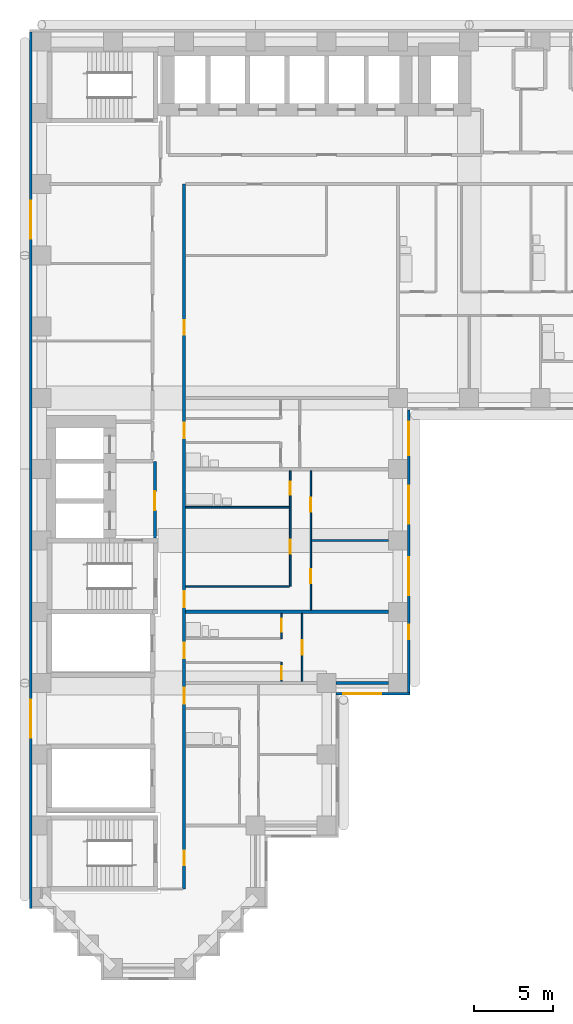
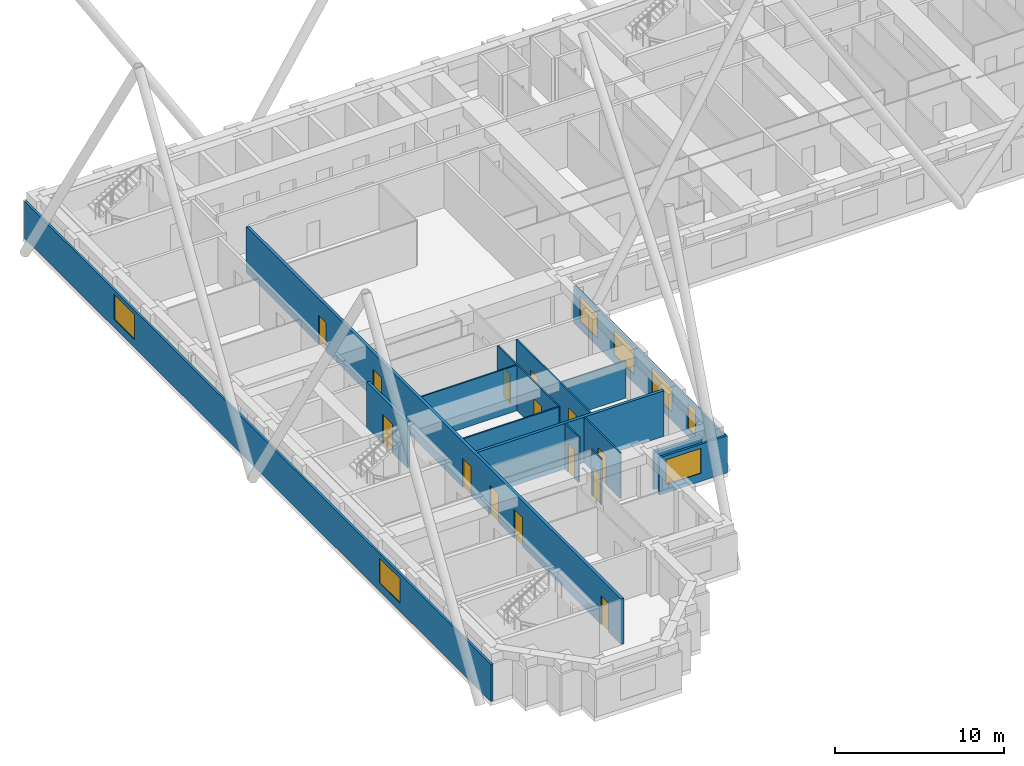
# One storey, part 4 of 13: 15 walls, 14 doors, 7 windows, 21 openings.
"""IFC4 building model written with IfcOpenShell, lengths in metres."""

from ifc_helpers import new_model, si_unit, direction, frame, frame_2d, origin, place, context, subcontext, project, spatial, rectangle, extrude, material, layer, layer_set, type_object, element, fill, save


model = new_model("IFC4")

# Units and contexts
model_context = context("Model", 3, precision=1e-05, world=origin(), true_north=direction((0.0, 1.0)))
body_context = subcontext(model_context, "Body", "Model", "MODEL_VIEW")
ifc_project = project(units=[si_unit("LENGTHUNIT", "METRE"), si_unit("AREAUNIT", "SQUARE_METRE"), si_unit("VOLUMEUNIT", "CUBIC_METRE"), si_unit("PLANEANGLEUNIT", "RADIAN"), si_unit("MASSUNIT", "GRAM", prefix="KILO")], contexts=[model_context])

# Site, building, storey
site_placement = place(None, origin())
site = spatial("IfcSite", under=ifc_project, at=site_placement, CompositionType="ELEMENT")
building_placement = place(site_placement, origin())
building = spatial("IfcBuilding", under=site, at=building_placement, Name="Firuza Court", CompositionType="ELEMENT")
storey_placement = place(building_placement, frame((0.0, 0.0, 50.60009765625)))
storey = spatial("IfcBuildingStorey", under=building, at=storey_placement, Name="L11", CompositionType="ELEMENT", Elevation=50.60009765625)

# Wall
ifc_material_1 = material(Name="Moisture-resistant gypsum board partition")
ifc_layer_1 = layer(ifc_material_1, 0.10009765625)
ifc_layer_set_1 = layer_set([ifc_layer_1], Name="Moisture-resistant gypsum board partition")
wall_type_1 = type_object("IfcWallType", Name="Bathroom partition 100", PredefinedType="PLUMBINGWALL", material=ifc_layer_set_1)
wall_1_placement = place(storey_placement, frame((9.10009765625, 29.10009765625, 0.0), z_axis=(0.0, 0.0, 1.0), x_axis=(1.0, 0.0, 0.0)))
element("IfcWall", 1, at=wall_1_placement, inside=storey, type_object=wall_type_1, Name="Bathroom partition 100 L11", PredefinedType="PLUMBINGWALL", context=body_context, shape_type="SweptSolid", body=[
    extrude(rectangle(XDim=6.5498046875, YDim=0.10009765625, at=frame_2d((3.27490234375, 0.0))), origin(), (0.0, 0.0, 1.0), 3.2998046875),
])

# Wall, openings, doors
ifc_material_2 = material(Name="Blockwork, plastered both sides", Category="masonry")
ifc_layer_2 = layer(ifc_material_2, 0.199951171875)
ifc_layer_set_2 = layer_set([ifc_layer_2], Name="Blockwork, plastered both sides")
wall_type_2 = type_object("IfcWallType", Name="Corridor wall 200", PredefinedType="PARTITIONING", material=ifc_layer_set_2)
wall_2_placement = place(storey_placement, frame((9.0, 5.0, 0.0), z_axis=(0.0, 0.0, 1.0), x_axis=(0.0, 1.0, 0.0)))
wall_2 = element("IfcWall", 2, at=wall_2_placement, inside=storey, type_object=wall_type_2, Name="Corridor wall 200 L11", PredefinedType="PARTITIONING", context=body_context, shape_type="SweptSolid", body=[
    extrude(rectangle(XDim=44.5, YDim=0.199951171875, at=frame_2d((22.25, 0.0))), origin(), (0.0, 0.0, 1.0), 3.2998046875),
])
opening_1_placement = place(wall_2_placement, frame((28.449951171875, 0.0, 0.0)))
opening_1 = element("IfcOpeningElement", 3, at=opening_1_placement, cuts=wall_2, Name="Opening D11019", PredefinedType="OPENING", context=body_context, shape_type="SweptSolid", body=[
    extrude(rectangle(XDim=1.0, YDim=2.10009765625, at=frame_2d((0.5, 1.050048828125))), frame((0.0, 0.11181640625, 0.0), z_axis=(0.0, -1.0, 0.0), x_axis=(1.0, 0.0, 0.0)), (0.0, 0.0, 1.0), 0.223876953125),
])
opening_2_placement = place(wall_2_placement, frame((17.800048828125, 0.0, 0.0)))
opening_2 = element("IfcOpeningElement", 4, at=opening_2_placement, cuts=wall_2, Name="Opening D11020", PredefinedType="OPENING", context=body_context, shape_type="SweptSolid", body=[
    extrude(rectangle(XDim=1.0, YDim=2.10009765625, at=frame_2d((0.5, 1.050048828125))), frame((0.0, 0.11181640625, 0.0), z_axis=(0.0, -1.0, 0.0), x_axis=(1.0, 0.0, 0.0)), (0.0, 0.0, 1.0), 0.223876953125),
])
opening_3_placement = place(wall_2_placement, frame((14.550048828125, 0.0, 0.0)))
opening_3 = element("IfcOpeningElement", 5, at=opening_3_placement, cuts=wall_2, Name="Opening D11021", PredefinedType="OPENING", context=body_context, shape_type="SweptSolid", body=[
    extrude(rectangle(XDim=1.0, YDim=2.10009765625, at=frame_2d((0.5, 1.050048828125))), frame((0.0, 0.11181640625, 0.0), z_axis=(0.0, -1.0, 0.0), x_axis=(1.0, 0.0, 0.0)), (0.0, 0.0, 1.0), 0.223876953125),
])
opening_4_placement = place(wall_2_placement, frame((11.699951171875, 0.0, 0.0)))
opening_4 = element("IfcOpeningElement", 6, at=opening_4_placement, cuts=wall_2, Name="Opening D11022", PredefinedType="OPENING", context=body_context, shape_type="SweptSolid", body=[
    extrude(rectangle(XDim=1.0, YDim=2.10009765625, at=frame_2d((0.5, 1.050048828125))), frame((0.0, 0.11181640625, 0.0), z_axis=(0.0, -1.0, 0.0), x_axis=(1.0, 0.0, 0.0)), (0.0, 0.0, 1.0), 0.223876953125),
])
opening_5_placement = place(wall_2_placement, frame((35.0, 0.0, 0.0)))
opening_5 = element("IfcOpeningElement", 7, at=opening_5_placement, cuts=wall_2, Name="Opening D11023", PredefinedType="OPENING", context=body_context, shape_type="SweptSolid", body=[
    extrude(rectangle(XDim=0.89990234375, YDim=2.10009765625, at=frame_2d((0.449951171875, 1.050048828125))), frame((0.0, 0.11181640625, 0.0), z_axis=(0.0, -1.0, 0.0), x_axis=(1.0, 0.0, 0.0)), (0.0, 0.0, 1.0), 0.223876953125),
])
opening_6_placement = place(wall_2_placement, frame((1.5, 0.0, 0.0)))
opening_6 = element("IfcOpeningElement", 8, at=opening_6_placement, cuts=wall_2, Name="Opening D11024", PredefinedType="OPENING", context=body_context, shape_type="SweptSolid", body=[
    extrude(rectangle(XDim=0.89990234375, YDim=2.10009765625, at=frame_2d((0.449951171875, 1.050048828125))), frame((0.0, 0.11181640625, 0.0), z_axis=(0.0, -1.0, 0.0), x_axis=(1.0, 0.0, 0.0)), (0.0, 0.0, 1.0), 0.223876953125),
])
ifc_material_3 = material(Name="Timber door leaf in hardwood frame", Category="wood")
door_type_1 = type_object("IfcDoorType", Name="Flat entrance door 1000", OperationType="SINGLE_SWING_LEFT", PredefinedType="DOOR", material=ifc_material_3)
door_1_placement = place(opening_1_placement, origin())
door_1 = element("IfcDoor", 9, at=door_1_placement, inside=storey, type_object=door_type_1, Name="Flat entrance door", OperationType="SINGLE_SWING_LEFT", OverallHeight=2.10009765625, OverallWidth=1.0, PredefinedType="DOOR", context=body_context, shape_type="SweptSolid", body=[
    extrude(rectangle(XDim=1.0, YDim=2.10009765625, at=frame_2d((0.5, 1.050048828125))), frame((0.0, 0.02490234375, 0.0), z_axis=(0.0, -1.0, 0.0), x_axis=(1.0, 0.0, 0.0)), (0.0, 0.0, 1.0), 0.050048828125),
])
fill(opening_1, door_1)
door_2_placement = place(opening_2_placement, origin())
door_2 = element("IfcDoor", 10, at=door_2_placement, inside=storey, type_object=door_type_1, Name="Flat entrance door", OperationType="SINGLE_SWING_LEFT", OverallHeight=2.10009765625, OverallWidth=1.0, PredefinedType="DOOR", context=body_context, shape_type="SweptSolid", body=[
    extrude(rectangle(XDim=1.0, YDim=2.10009765625, at=frame_2d((0.5, 1.050048828125))), frame((0.0, 0.02490234375, 0.0), z_axis=(0.0, -1.0, 0.0), x_axis=(1.0, 0.0, 0.0)), (0.0, 0.0, 1.0), 0.050048828125),
])
fill(opening_2, door_2)
door_3_placement = place(opening_3_placement, origin())
door_3 = element("IfcDoor", 11, at=door_3_placement, inside=storey, type_object=door_type_1, Name="Flat entrance door", OperationType="SINGLE_SWING_LEFT", OverallHeight=2.10009765625, OverallWidth=1.0, PredefinedType="DOOR", context=body_context, shape_type="SweptSolid", body=[
    extrude(rectangle(XDim=1.0, YDim=2.10009765625, at=frame_2d((0.5, 1.050048828125))), frame((0.0, 0.02490234375, 0.0), z_axis=(0.0, -1.0, 0.0), x_axis=(1.0, 0.0, 0.0)), (0.0, 0.0, 1.0), 0.050048828125),
])
fill(opening_3, door_3)
door_4_placement = place(opening_4_placement, origin())
door_4 = element("IfcDoor", 12, at=door_4_placement, inside=storey, type_object=door_type_1, Name="Flat entrance door", OperationType="SINGLE_SWING_LEFT", OverallHeight=2.10009765625, OverallWidth=1.0, PredefinedType="DOOR", context=body_context, shape_type="SweptSolid", body=[
    extrude(rectangle(XDim=1.0, YDim=2.10009765625, at=frame_2d((0.5, 1.050048828125))), frame((0.0, 0.02490234375, 0.0), z_axis=(0.0, -1.0, 0.0), x_axis=(1.0, 0.0, 0.0)), (0.0, 0.0, 1.0), 0.050048828125),
])
fill(opening_4, door_4)
ifc_material_4 = material(Name="Timber door leaf in hardwood frame", Category="wood")
door_type_2 = type_object("IfcDoorType", Name="Room door 900 EI 30", OperationType="SINGLE_SWING_LEFT", PredefinedType="DOOR", material=ifc_material_4)
door_5_placement = place(opening_5_placement, origin())
door_5 = element("IfcDoor", 13, at=door_5_placement, inside=storey, type_object=door_type_2, Name="Yoga studio door", OperationType="SINGLE_SWING_LEFT", OverallHeight=2.10009765625, OverallWidth=0.89990234375, PredefinedType="DOOR", context=body_context, shape_type="SweptSolid", body=[
    extrude(rectangle(XDim=0.89990234375, YDim=2.10009765625, at=frame_2d((0.449951171875, 1.050048828125))), frame((0.0, 0.02490234375, 0.0), z_axis=(0.0, -1.0, 0.0), x_axis=(1.0, 0.0, 0.0)), (0.0, 0.0, 1.0), 0.050048828125),
])
fill(opening_5, door_5)
door_6_placement = place(opening_6_placement, origin())
door_6 = element("IfcDoor", 14, at=door_6_placement, inside=storey, type_object=door_type_2, Name="Yoga studio door", OperationType="SINGLE_SWING_LEFT", OverallHeight=2.10009765625, OverallWidth=0.89990234375, PredefinedType="DOOR", context=body_context, shape_type="SweptSolid", body=[
    extrude(rectangle(XDim=0.89990234375, YDim=2.10009765625, at=frame_2d((0.449951171875, 1.050048828125))), frame((0.0, 0.02490234375, 0.0), z_axis=(0.0, -1.0, 0.0), x_axis=(1.0, 0.0, 0.0)), (0.0, 0.0, 1.0), 0.050048828125),
])
fill(opening_6, door_6)

# Wall, opening, door
ifc_material_5 = material(Name="Timber stud partition, plasterboard both sides", Category="wood")
ifc_layer_3 = layer(ifc_material_5, 0.10009765625)
ifc_layer_set_3 = layer_set([ifc_layer_3], Name="Timber stud partition, plasterboard both sides")
wall_type_3 = type_object("IfcWallType", Name="Partition wall 100", PredefinedType="PARTITIONING", material=ifc_layer_set_3)
wall_3_placement = place(storey_placement, frame((15.14990234375, 18.10009765625, 0.0), z_axis=(0.0, 0.0, 1.0), x_axis=(0.0, 1.0, 0.0)))
wall_3 = element("IfcWall", 15, at=wall_3_placement, inside=storey, type_object=wall_type_3, Name="Partition wall 100 L11", PredefinedType="PARTITIONING", context=body_context, shape_type="SweptSolid", body=[
    extrude(rectangle(XDim=1.199951171875, YDim=0.10009765625, at=frame_2d((0.60009765625, 0.0))), origin(), (0.0, 0.0, 1.0), 3.2998046875),
])
opening_7_placement = place(wall_3_placement, frame((0.14990234375, 0.0, 0.0)))
opening_7 = element("IfcOpeningElement", 16, at=opening_7_placement, cuts=wall_3, Name="Opening D11030", PredefinedType="OPENING", context=body_context, shape_type="SweptSolid", body=[
    extrude(rectangle(XDim=0.800048828125, YDim=2.10009765625, at=frame_2d((0.39990234375, 1.050048828125))), frame((0.0, 0.06201171875, 0.0), z_axis=(0.0, -1.0, 0.0), x_axis=(1.0, 0.0, 0.0)), (0.0, 0.0, 1.0), 0.1240234375),
])
ifc_material_6 = material(Name="Timber door leaf in hardwood frame", Category="wood")
door_type_3 = type_object("IfcDoorType", Name="Room door 800", OperationType="SINGLE_SWING_LEFT", PredefinedType="DOOR", material=ifc_material_6)
door_7_placement = place(opening_7_placement, origin())
door_7 = element("IfcDoor", 17, at=door_7_placement, inside=storey, type_object=door_type_3, Name="Kitchen door", OperationType="SINGLE_SWING_LEFT", OverallHeight=2.10009765625, OverallWidth=0.800048828125, PredefinedType="DOOR", context=body_context, shape_type="SweptSolid", body=[
    extrude(rectangle(XDim=0.800048828125, YDim=2.10009765625, at=frame_2d((0.39990234375, 1.050048828125))), frame((0.0, 0.02490234375, 0.0), z_axis=(0.0, -1.0, 0.0), x_axis=(1.0, 0.0, 0.0)), (0.0, 0.0, 1.0), 0.050048828125),
])
fill(opening_7, door_7)

wall_4_placement = place(storey_placement, frame((16.449951171875, 18.10009765625, 0.0), z_axis=(0.0, 0.0, 1.0), x_axis=(0.0, 1.0, 0.0)))
wall_4 = element("IfcWall", 18, at=wall_4_placement, inside=storey, type_object=wall_type_3, Name="Partition wall 100 L11", PredefinedType="PARTITIONING", context=body_context, shape_type="SweptSolid", body=[
    extrude(rectangle(XDim=4.2998046875, YDim=0.10009765625, at=frame_2d((2.14990234375, 0.0))), origin(), (0.0, 0.0, 1.0), 3.2998046875),
])
opening_8_placement = place(wall_4_placement, frame((1.699951171875, 0.0, 0.0)))
opening_8 = element("IfcOpeningElement", 19, at=opening_8_placement, cuts=wall_4, Name="Opening D11031", PredefinedType="OPENING", context=body_context, shape_type="SweptSolid", body=[
    extrude(rectangle(XDim=0.89990234375, YDim=2.10009765625, at=frame_2d((0.449951171875, 1.050048828125))), frame((0.0, 0.06201171875, 0.0), z_axis=(0.0, -1.0, 0.0), x_axis=(1.0, 0.0, 0.0)), (0.0, 0.0, 1.0), 0.1240234375),
])
ifc_material_7 = material(Name="Timber door leaf in hardwood frame", Category="wood")
door_type_4 = type_object("IfcDoorType", Name="Room door 900", OperationType="SINGLE_SWING_LEFT", PredefinedType="DOOR", material=ifc_material_7)
door_8_placement = place(opening_8_placement, frame((0.89990234375, 0.0, 0.0), z_axis=(0.0, 0.0, 1.0), x_axis=(-1.0, 0.0, 0.0)))
door_8 = element("IfcDoor", 20, at=door_8_placement, inside=storey, type_object=door_type_4, Name="Studio room door", OperationType="SINGLE_SWING_RIGHT", OverallHeight=2.10009765625, OverallWidth=0.89990234375, PredefinedType="DOOR", context=body_context, shape_type="SweptSolid", body=[
    extrude(rectangle(XDim=0.89990234375, YDim=2.10009765625, at=frame_2d((0.449951171875, 1.050048828125))), frame((0.0, 0.02490234375, 0.0), z_axis=(0.0, -1.0, 0.0), x_axis=(1.0, 0.0, 0.0)), (0.0, 0.0, 1.0), 0.050048828125),
])
fill(opening_8, door_8)

wall_5_placement = place(storey_placement, frame((15.14990234375, 20.800048828125, 0.0), z_axis=(0.0, 0.0, 1.0), x_axis=(0.0, 1.0, 0.0)))
wall_5 = element("IfcWall", 21, at=wall_5_placement, inside=storey, type_object=wall_type_3, Name="Partition wall 100 L11", PredefinedType="PARTITIONING", context=body_context, shape_type="SweptSolid", body=[
    extrude(rectangle(XDim=1.599853515625, YDim=0.10009765625, at=frame_2d((0.7998046875, 0.0))), origin(), (0.0, 0.0, 1.0), 3.2998046875),
])
opening_9_placement = place(wall_5_placement, frame((0.449951171875, 0.0, 0.0)))
opening_9 = element("IfcOpeningElement", 22, at=opening_9_placement, cuts=wall_5, Name="Opening D11032", PredefinedType="OPENING", context=body_context, shape_type="SweptSolid", body=[
    extrude(rectangle(XDim=0.800048828125, YDim=2.10009765625, at=frame_2d((0.39990234375, 1.050048828125))), frame((0.0, 0.06201171875, 0.0), z_axis=(0.0, -1.0, 0.0), x_axis=(1.0, 0.0, 0.0)), (0.0, 0.0, 1.0), 0.1240234375),
])
ifc_material_8 = material(Name="Timber door leaf in hardwood frame", Category="wood")
door_type_5 = type_object("IfcDoorType", Name="Bathroom door 800", OperationType="SINGLE_SWING_LEFT", PredefinedType="DOOR", material=ifc_material_8)
door_9_placement = place(opening_9_placement, origin())
door_9 = element("IfcDoor", 23, at=door_9_placement, inside=storey, type_object=door_type_5, Name="Bathroom door", OperationType="SINGLE_SWING_LEFT", OverallHeight=2.10009765625, OverallWidth=0.800048828125, PredefinedType="DOOR", context=body_context, shape_type="SweptSolid", body=[
    extrude(rectangle(XDim=0.800048828125, YDim=2.10009765625, at=frame_2d((0.39990234375, 1.050048828125))), frame((0.0, 0.02490234375, 0.0), z_axis=(0.0, -1.0, 0.0), x_axis=(1.0, 0.0, 0.0)), (0.0, 0.0, 1.0), 0.050048828125),
])
fill(opening_9, door_9)

# Wall, openings, doors
wall_6_placement = place(storey_placement, frame((17.0, 22.60009765625, 0.0), z_axis=(0.0, 0.0, 1.0), x_axis=(0.0, 1.0, 0.0)))
wall_6 = element("IfcWall", 24, at=wall_6_placement, inside=storey, type_object=wall_type_3, Name="Partition wall 100 L11", PredefinedType="PARTITIONING", context=body_context, shape_type="SweptSolid", body=[
    extrude(rectangle(XDim=8.7998046875, YDim=0.10009765625, at=frame_2d((4.39990234375, 0.0))), origin(), (0.0, 0.0, 1.0), 3.2998046875),
])
opening_10_placement = place(wall_6_placement, frame((1.699951171875, 0.0, 0.0)))
opening_10 = element("IfcOpeningElement", 25, at=opening_10_placement, cuts=wall_6, Name="Opening D11033", PredefinedType="OPENING", context=body_context, shape_type="SweptSolid", body=[
    extrude(rectangle(XDim=0.89990234375, YDim=2.10009765625, at=frame_2d((0.449951171875, 1.050048828125))), frame((0.0, 0.06201171875, 0.0), z_axis=(0.0, -1.0, 0.0), x_axis=(1.0, 0.0, 0.0)), (0.0, 0.0, 1.0), 0.1240234375),
])
opening_11_placement = place(wall_6_placement, frame((6.199951171875, 0.0, 0.0)))
opening_11 = element("IfcOpeningElement", 26, at=opening_11_placement, cuts=wall_6, Name="Opening D11034", PredefinedType="OPENING", context=body_context, shape_type="SweptSolid", body=[
    extrude(rectangle(XDim=0.89990234375, YDim=2.10009765625, at=frame_2d((0.449951171875, 1.050048828125))), frame((0.0, 0.06201171875, 0.0), z_axis=(0.0, -1.0, 0.0), x_axis=(1.0, 0.0, 0.0)), (0.0, 0.0, 1.0), 0.1240234375),
])
door_10_placement = place(opening_10_placement, frame((0.89990234375, 0.0, 0.0), z_axis=(0.0, 0.0, 1.0), x_axis=(-1.0, 0.0, 0.0)))
door_10 = element("IfcDoor", 27, at=door_10_placement, inside=storey, type_object=door_type_4, Name="Bedroom door", OperationType="SINGLE_SWING_RIGHT", OverallHeight=2.10009765625, OverallWidth=0.89990234375, PredefinedType="DOOR", context=body_context, shape_type="SweptSolid", body=[
    extrude(rectangle(XDim=0.89990234375, YDim=2.10009765625, at=frame_2d((0.449951171875, 1.050048828125))), frame((0.0, 0.02490234375, 0.0), z_axis=(0.0, -1.0, 0.0), x_axis=(1.0, 0.0, 0.0)), (0.0, 0.0, 1.0), 0.050048828125),
])
fill(opening_10, door_10)
door_11_placement = place(opening_11_placement, frame((0.89990234375, 0.0, 0.0), z_axis=(0.0, 0.0, 1.0), x_axis=(-1.0, 0.0, 0.0)))
door_11 = element("IfcDoor", 28, at=door_11_placement, inside=storey, type_object=door_type_4, Name="Living room door", OperationType="SINGLE_SWING_RIGHT", OverallHeight=2.10009765625, OverallWidth=0.89990234375, PredefinedType="DOOR", context=body_context, shape_type="SweptSolid", body=[
    extrude(rectangle(XDim=0.89990234375, YDim=2.10009765625, at=frame_2d((0.449951171875, 1.050048828125))), frame((0.0, 0.02490234375, 0.0), z_axis=(0.0, -1.0, 0.0), x_axis=(1.0, 0.0, 0.0)), (0.0, 0.0, 1.0), 0.050048828125),
])
fill(opening_11, door_11)

# Wall
wall_7_placement = place(storey_placement, frame((9.10009765625, 24.10009765625, 0.0), z_axis=(0.0, 0.0, 1.0), x_axis=(1.0, 0.0, 0.0)))
element("IfcWall", 29, at=wall_7_placement, inside=storey, type_object=wall_type_3, Name="Partition wall 100 L11", PredefinedType="PARTITIONING", context=body_context, shape_type="SweptSolid", body=[
    extrude(rectangle(XDim=6.5498046875, YDim=0.10009765625, at=frame_2d((3.27490234375, 0.0))), origin(), (0.0, 0.0, 1.0), 3.2998046875),
])

# Wall, openings, doors
wall_8_placement = place(storey_placement, frame((15.699951171875, 24.10009765625, 0.0), z_axis=(0.0, 0.0, 1.0), x_axis=(0.0, 1.0, 0.0)))
wall_8 = element("IfcWall", 30, at=wall_8_placement, inside=storey, type_object=wall_type_3, Name="Partition wall 100 L11", PredefinedType="PARTITIONING", context=body_context, shape_type="SweptSolid", body=[
    extrude(rectangle(XDim=7.2998046875, YDim=0.10009765625, at=frame_2d((3.64990234375, 0.0))), origin(), (0.0, 0.0, 1.0), 3.2998046875),
])
opening_12_placement = place(wall_8_placement, frame((5.800048828125, 0.0, 0.0)))
opening_12 = element("IfcOpeningElement", 31, at=opening_12_placement, cuts=wall_8, Name="Opening D11035", PredefinedType="OPENING", context=body_context, shape_type="SweptSolid", body=[
    extrude(rectangle(XDim=0.800048828125, YDim=2.10009765625, at=frame_2d((0.39990234375, 1.050048828125))), frame((0.0, 0.06201171875, 0.0), z_axis=(0.0, -1.0, 0.0), x_axis=(1.0, 0.0, 0.0)), (0.0, 0.0, 1.0), 0.1240234375),
])
opening_13_placement = place(wall_8_placement, frame((2.050048828125, 0.0, 0.0)))
opening_13 = element("IfcOpeningElement", 32, at=opening_13_placement, cuts=wall_8, Name="Opening D11036", PredefinedType="OPENING", context=body_context, shape_type="SweptSolid", body=[
    extrude(rectangle(XDim=0.89990234375, YDim=2.10009765625, at=frame_2d((0.449951171875, 1.050048828125))), frame((0.0, 0.06201171875, 0.0), z_axis=(0.0, -1.0, 0.0), x_axis=(1.0, 0.0, 0.0)), (0.0, 0.0, 1.0), 0.1240234375),
])
door_12_placement = place(opening_12_placement, origin())
door_12 = element("IfcDoor", 33, at=door_12_placement, inside=storey, type_object=door_type_5, Name="Bathroom door", OperationType="SINGLE_SWING_LEFT", OverallHeight=2.10009765625, OverallWidth=0.800048828125, PredefinedType="DOOR", context=body_context, shape_type="SweptSolid", body=[
    extrude(rectangle(XDim=0.800048828125, YDim=2.10009765625, at=frame_2d((0.39990234375, 1.050048828125))), frame((0.0, 0.02490234375, 0.0), z_axis=(0.0, -1.0, 0.0), x_axis=(1.0, 0.0, 0.0)), (0.0, 0.0, 1.0), 0.050048828125),
])
fill(opening_12, door_12)
door_13_placement = place(opening_13_placement, origin())
door_13 = element("IfcDoor", 34, at=door_13_placement, inside=storey, type_object=door_type_4, Name="Kitchen door", OperationType="SINGLE_SWING_LEFT", OverallHeight=2.10009765625, OverallWidth=0.89990234375, PredefinedType="DOOR", context=body_context, shape_type="SweptSolid", body=[
    extrude(rectangle(XDim=0.89990234375, YDim=2.10009765625, at=frame_2d((0.449951171875, 1.050048828125))), frame((0.0, 0.02490234375, 0.0), z_axis=(0.0, -1.0, 0.0), x_axis=(1.0, 0.0, 0.0)), (0.0, 0.0, 1.0), 0.050048828125),
])
fill(opening_13, door_13)

# Walls
wall_9_placement = place(storey_placement, frame((17.050048828125, 27.0, 0.0), z_axis=(0.0, 0.0, 1.0), x_axis=(1.0, 0.0, 0.0)))
element("IfcWall", 35, at=wall_9_placement, inside=storey, type_object=wall_type_3, Name="Partition wall 100 L11", PredefinedType="PARTITIONING", context=body_context, shape_type="SweptSolid", body=[
    extrude(rectangle(XDim=4.849853515625, YDim=0.10009765625, at=frame_2d((2.4248046875, 0.0))), origin(), (0.0, 0.0, 1.0), 2.699951171875),
])
ifc_layer_4 = layer(ifc_material_2, 0.199951171875)
ifc_layer_set_4 = layer_set([ifc_layer_4], Name="Blockwork, plastered both sides")
wall_type_4 = type_object("IfcWallType", Name="Party wall 200", PredefinedType="PARTITIONING", material=ifc_layer_set_4)
wall_10_placement = place(storey_placement, frame((18.60009765625, 18.0, 0.0), z_axis=(0.0, 0.0, 1.0), x_axis=(1.0, 0.0, 0.0)))
element("IfcWall", 36, at=wall_10_placement, inside=storey, type_object=wall_type_4, Name="Party wall 200 L11", PredefinedType="PARTITIONING", context=body_context, shape_type="SweptSolid", body=[
    extrude(rectangle(XDim=3.2998046875, YDim=0.199951171875, at=frame_2d((1.64990234375, 0.0))), origin(), (0.0, 0.0, 1.0), 2.699951171875),
])
wall_11_placement = place(storey_placement, frame((9.10009765625, 22.5, 0.0), z_axis=(0.0, 0.0, 1.0), x_axis=(1.0, 0.0, 0.0)))
element("IfcWall", 37, at=wall_11_placement, inside=storey, type_object=wall_type_4, Name="Party wall 200 L11", PredefinedType="PARTITIONING", context=body_context, shape_type="SweptSolid", body=[
    extrude(rectangle(XDim=12.7998046875, YDim=0.199951171875, at=frame_2d((6.39990234375, 0.0))), origin(), (0.0, 0.0, 1.0), 3.2998046875),
])

# Wall, opening, window
ifc_material_9 = material(Name="Ceramic tile", Category="ceramic")
ifc_layer_5 = layer(ifc_material_9, 0.02001953125)
ifc_material_10 = material(Name="Mineral wool insulation", Category="insulation")
ifc_layer_6 = layer(ifc_material_10, 0.050048828125)
ifc_material_11 = material(Name="Concrete C40/50 precast", Category="concrete")
ifc_layer_7 = layer(ifc_material_11, 0.080078125)
ifc_layer_set_5 = layer_set([ifc_layer_5, ifc_layer_6, ifc_layer_7], Name="Concrete C40/50 precast")
wall_type_5 = type_object("IfcWallType", Name="Precast cladding wall with turquoise TILE PANEL face 150", PredefinedType="STANDARD", material=ifc_layer_set_5)
wall_12_placement = place(storey_placement, frame((18.60009765625, 17.324951171875, 0.0), z_axis=(0.0, 0.0, 1.0), x_axis=(1.0, 0.0, 0.0)))
wall_12 = element("IfcWall", 38, at=wall_12_placement, inside=storey, type_object=wall_type_5, Name="Facade wall L11 S", PredefinedType="STANDARD", context=body_context, shape_type="SweptSolid", body=[
    extrude(rectangle(XDim=4.64990234375, YDim=0.14990234375, at=frame_2d((2.324951171875, 0.0))), origin(), (0.0, 0.0, 1.0), 2.699951171875),
])
opening_14_placement = place(wall_12_placement, frame((0.449951171875, 0.0, 0.60009765625)))
opening_14 = element("IfcOpeningElement", 39, at=opening_14_placement, cuts=wall_12, Name="Opening W1", PredefinedType="OPENING", context=body_context, shape_type="SweptSolid", body=[
    extrude(rectangle(XDim=2.39990234375, YDim=1.800048828125, at=frame_2d((1.199951171875, 0.89990234375))), frame((0.0, 0.0869140625, 0.0), z_axis=(0.0, -1.0, 0.0), x_axis=(1.0, 0.0, 0.0)), (0.0, 0.0, 1.0), 0.173828125),
])
ifc_material_12 = material(Name="Aluminium frame, triple clear glazing", Category="aluminium")
window_type_1 = type_object("IfcWindowType", Name="Window W1 2400 x 1800", PartitioningType="SINGLE_PANEL", PredefinedType="WINDOW", material=ifc_material_12)
window_1_placement = place(opening_14_placement, origin())
window_1 = element("IfcWindow", 40, at=window_1_placement, inside=storey, type_object=window_type_1, Name="Window L11", OverallHeight=1.800048828125, OverallWidth=2.39990234375, PartitioningType="SINGLE_PANEL", PredefinedType="WINDOW", context=body_context, shape_type="SweptSolid", body=[
    extrude(rectangle(XDim=2.39990234375, YDim=1.800048828125, at=frame_2d((1.199951171875, 0.89990234375))), frame((0.0, 0.030029296875, 0.0), z_axis=(0.0, -1.0, 0.0), x_axis=(1.0, 0.0, 0.0)), (0.0, 0.0, 1.0), 0.06005859375),
])
fill(opening_14, window_1)

# Wall, openings, windows
wall_13_placement = place(storey_placement, frame((23.175048828125, 17.39990234375, 0.0), z_axis=(0.0, 0.0, 1.0), x_axis=(0.0, 1.0, 0.0)))
wall_13 = element("IfcWall", 41, at=wall_13_placement, inside=storey, type_object=wall_type_5, Name="Facade wall L11 E", PredefinedType="STANDARD", context=body_context, shape_type="SweptSolid", body=[
    extrude(rectangle(XDim=17.85009765625, YDim=0.14990234375, at=frame_2d((8.925048828125, 0.0))), origin(), (0.0, 0.0, 1.0), 2.699951171875),
])
opening_15_placement = place(wall_13_placement, frame((3.37548828125, 0.0, 0.60009765625)))
opening_15 = element("IfcOpeningElement", 42, at=opening_15_placement, cuts=wall_13, Name="Opening W3", PredefinedType="OPENING", context=body_context, shape_type="SweptSolid", body=[
    extrude(rectangle(XDim=0.89990234375, YDim=1.800048828125, at=frame_2d((0.449951171875, 0.89990234375))), frame((0.0, 0.0869140625, 0.0), z_axis=(0.0, -1.0, 0.0), x_axis=(1.0, 0.0, 0.0)), (0.0, 0.0, 1.0), 0.173828125),
])
opening_16_placement = place(wall_13_placement, frame((6.14990234375, 0.0, 0.60009765625)))
opening_16 = element("IfcOpeningElement", 43, at=opening_16_placement, cuts=wall_13, Name="Opening W1", PredefinedType="OPENING", context=body_context, shape_type="SweptSolid", body=[
    extrude(rectangle(XDim=2.39990234375, YDim=1.800048828125, at=frame_2d((1.199951171875, 0.89990234375))), frame((0.0, 0.0869140625, 0.0), z_axis=(0.0, -1.0, 0.0), x_axis=(1.0, 0.0, 0.0)), (0.0, 0.0, 1.0), 0.173828125),
])
opening_17_placement = place(wall_13_placement, frame((10.64990234375, 0.0, 0.60009765625)))
opening_17 = element("IfcOpeningElement", 44, at=opening_17_placement, cuts=wall_13, Name="Opening W1", PredefinedType="OPENING", context=body_context, shape_type="SweptSolid", body=[
    extrude(rectangle(XDim=2.39990234375, YDim=1.800048828125, at=frame_2d((1.199951171875, 0.89990234375))), frame((0.0, 0.0869140625, 0.0), z_axis=(0.0, -1.0, 0.0), x_axis=(1.0, 0.0, 0.0)), (0.0, 0.0, 1.0), 0.173828125),
])
opening_18_placement = place(wall_13_placement, frame((14.992431640625, 0.0, 0.60009765625)))
opening_18 = element("IfcOpeningElement", 45, at=opening_18_placement, cuts=wall_13, Name="Opening W6", PredefinedType="OPENING", context=body_context, shape_type="SweptSolid", body=[
    extrude(rectangle(XDim=2.10009765625, YDim=1.800048828125, at=frame_2d((1.050048828125, 0.89990234375))), frame((0.0, 0.0869140625, 0.0), z_axis=(0.0, -1.0, 0.0), x_axis=(1.0, 0.0, 0.0)), (0.0, 0.0, 1.0), 0.173828125),
])
window_2_placement = place(opening_16_placement, origin())
window_2 = element("IfcWindow", 46, at=window_2_placement, inside=storey, type_object=window_type_1, Name="Window L11", OverallHeight=1.800048828125, OverallWidth=2.39990234375, PartitioningType="SINGLE_PANEL", PredefinedType="WINDOW", context=body_context, shape_type="SweptSolid", body=[
    extrude(rectangle(XDim=2.39990234375, YDim=1.800048828125, at=frame_2d((1.199951171875, 0.89990234375))), frame((0.0, 0.030029296875, 0.0), z_axis=(0.0, -1.0, 0.0), x_axis=(1.0, 0.0, 0.0)), (0.0, 0.0, 1.0), 0.06005859375),
])
fill(opening_16, window_2)
window_3_placement = place(opening_17_placement, origin())
window_3 = element("IfcWindow", 47, at=window_3_placement, inside=storey, type_object=window_type_1, Name="Window L11", OverallHeight=1.800048828125, OverallWidth=2.39990234375, PartitioningType="SINGLE_PANEL", PredefinedType="WINDOW", context=body_context, shape_type="SweptSolid", body=[
    extrude(rectangle(XDim=2.39990234375, YDim=1.800048828125, at=frame_2d((1.199951171875, 0.89990234375))), frame((0.0, 0.030029296875, 0.0), z_axis=(0.0, -1.0, 0.0), x_axis=(1.0, 0.0, 0.0)), (0.0, 0.0, 1.0), 0.06005859375),
])
fill(opening_17, window_3)
ifc_material_13 = material(Name="Aluminium frame, triple clear glazing", Category="aluminium")
window_type_2 = type_object("IfcWindowType", Name="Window W3 900 x 1800", PartitioningType="SINGLE_PANEL", PredefinedType="WINDOW", material=ifc_material_13)
window_4_placement = place(opening_15_placement, origin())
window_4 = element("IfcWindow", 48, at=window_4_placement, inside=storey, type_object=window_type_2, Name="Window L11", OverallHeight=1.800048828125, OverallWidth=0.89990234375, PartitioningType="SINGLE_PANEL", PredefinedType="WINDOW", context=body_context, shape_type="SweptSolid", body=[
    extrude(rectangle(XDim=0.89990234375, YDim=1.800048828125, at=frame_2d((0.449951171875, 0.89990234375))), frame((0.0, 0.030029296875, 0.0), z_axis=(0.0, -1.0, 0.0), x_axis=(1.0, 0.0, 0.0)), (0.0, 0.0, 1.0), 0.06005859375),
])
fill(opening_15, window_4)
ifc_material_14 = material(Name="Aluminium frame, triple clear glazing", Category="aluminium")
window_type_3 = type_object("IfcWindowType", Name="Window W6 2100 x 1800", PartitioningType="SINGLE_PANEL", PredefinedType="WINDOW", material=ifc_material_14)
window_5_placement = place(opening_18_placement, origin())
window_5 = element("IfcWindow", 49, at=window_5_placement, inside=storey, type_object=window_type_3, Name="Window L11", OverallHeight=1.800048828125, OverallWidth=2.10009765625, PartitioningType="SINGLE_PANEL", PredefinedType="WINDOW", context=body_context, shape_type="SweptSolid", body=[
    extrude(rectangle(XDim=2.10009765625, YDim=1.800048828125, at=frame_2d((1.050048828125, 0.89990234375))), frame((0.0, 0.030029296875, 0.0), z_axis=(0.0, -1.0, 0.0), x_axis=(1.0, 0.0, 0.0)), (0.0, 0.0, 1.0), 0.06005859375),
])
fill(opening_18, window_5)

wall_14_placement = place(storey_placement, frame((-0.675048828125, 59.10009765625, 0.0), z_axis=(0.0, 0.0, 1.0), x_axis=(0.0, -1.0, 0.0)))
wall_14 = element("IfcWall", 50, at=wall_14_placement, inside=storey, type_object=wall_type_5, Name="Facade wall L11 W", PredefinedType="STANDARD", context=body_context, shape_type="SweptSolid", body=[
    extrude(rectangle(XDim=55.35009765625, YDim=0.14990234375, at=frame_2d((27.675048828125, 0.0))), origin(), (0.0, 0.0, 1.0), 2.699951171875),
])
opening_19_placement = place(wall_14_placement, frame((10.64990234375, 0.0, 0.60009765625)))
opening_19 = element("IfcOpeningElement", 51, at=opening_19_placement, cuts=wall_14, Name="Opening W1", PredefinedType="OPENING", context=body_context, shape_type="SweptSolid", body=[
    extrude(rectangle(XDim=2.39990234375, YDim=1.800048828125, at=frame_2d((1.199951171875, 0.89990234375))), frame((0.0, 0.0869140625, 0.0), z_axis=(0.0, -1.0, 0.0), x_axis=(1.0, 0.0, 0.0)), (0.0, 0.0, 1.0), 0.173828125),
])
opening_20_placement = place(wall_14_placement, frame((42.14990234375, 0.0, 0.60009765625)))
opening_20 = element("IfcOpeningElement", 52, at=opening_20_placement, cuts=wall_14, Name="Opening W1", PredefinedType="OPENING", context=body_context, shape_type="SweptSolid", body=[
    extrude(rectangle(XDim=2.39990234375, YDim=1.800048828125, at=frame_2d((1.199951171875, 0.89990234375))), frame((0.0, 0.0869140625, 0.0), z_axis=(0.0, -1.0, 0.0), x_axis=(1.0, 0.0, 0.0)), (0.0, 0.0, 1.0), 0.173828125),
])
window_6_placement = place(opening_19_placement, origin())
window_6 = element("IfcWindow", 53, at=window_6_placement, inside=storey, type_object=window_type_1, Name="Window L11", OverallHeight=1.800048828125, OverallWidth=2.39990234375, PartitioningType="SINGLE_PANEL", PredefinedType="WINDOW", context=body_context, shape_type="SweptSolid", body=[
    extrude(rectangle(XDim=2.39990234375, YDim=1.800048828125, at=frame_2d((1.199951171875, 0.89990234375))), frame((0.0, 0.030029296875, 0.0), z_axis=(0.0, -1.0, 0.0), x_axis=(1.0, 0.0, 0.0)), (0.0, 0.0, 1.0), 0.06005859375),
])
fill(opening_19, window_6)
window_7_placement = place(opening_20_placement, origin())
window_7 = element("IfcWindow", 54, at=window_7_placement, inside=storey, type_object=window_type_1, Name="Window L11", OverallHeight=1.800048828125, OverallWidth=2.39990234375, PartitioningType="SINGLE_PANEL", PredefinedType="WINDOW", context=body_context, shape_type="SweptSolid", body=[
    extrude(rectangle(XDim=2.39990234375, YDim=1.800048828125, at=frame_2d((1.199951171875, 0.89990234375))), frame((0.0, 0.030029296875, 0.0), z_axis=(0.0, -1.0, 0.0), x_axis=(1.0, 0.0, 0.0)), (0.0, 0.0, 1.0), 0.06005859375),
])
fill(opening_20, window_7)

# Wall, opening, door
ifc_material_15 = material(Name="Blockwork, fire-rated", Category="masonry")
ifc_layer_8 = layer(ifc_material_15, 0.199951171875)
ifc_layer_set_6 = layer_set([ifc_layer_8], Name="Blockwork, fire-rated")
wall_type_6 = type_object("IfcWallType", Name="Shaft wall 200", PredefinedType="PARTITIONING", material=ifc_layer_set_6)
wall_15_placement = place(storey_placement, frame((7.14990234375, 27.169921875, 0.0), z_axis=(0.0, 0.0, 1.0), x_axis=(0.0, 1.0, 0.0)))
wall_15 = element("IfcWall", 55, at=wall_15_placement, inside=storey, type_object=wall_type_6, Name="Shaft wall 200 L11", PredefinedType="PARTITIONING", context=body_context, shape_type="SweptSolid", body=[
    extrude(rectangle(XDim=4.830078125, YDim=0.199951171875, at=frame_2d((2.4150390625, 0.0))), origin(), (0.0, 0.0, 1.0), 3.2998046875),
])
opening_21_placement = place(wall_15_placement, frame((1.72998046875, 0.0, 0.0)))
opening_21 = element("IfcOpeningElement", 56, at=opening_21_placement, cuts=wall_15, Name="Opening D11002", PredefinedType="OPENING", context=body_context, shape_type="SweptSolid", body=[
    extrude(rectangle(XDim=1.199951171875, YDim=2.10009765625, at=frame_2d((0.60009765625, 1.050048828125))), frame((0.0, 0.11181640625, 0.0), z_axis=(0.0, -1.0, 0.0), x_axis=(1.0, 0.0, 0.0)), (0.0, 0.0, 1.0), 0.223876953125),
])
ifc_material_16 = material(Name="Timber door leaf in hardwood frame", Category="wood")
door_type_6 = type_object("IfcDoorType", Name="Lobby door 1200", OperationType="SINGLE_SWING_LEFT", PredefinedType="DOOR", material=ifc_material_16)
door_14_placement = place(opening_21_placement, origin())
door_14 = element("IfcDoor", 57, at=door_14_placement, inside=storey, type_object=door_type_6, Name="Fire-fighting lobby door", OperationType="SINGLE_SWING_LEFT", OverallHeight=2.10009765625, OverallWidth=1.199951171875, PredefinedType="DOOR", context=body_context, shape_type="SweptSolid", body=[
    extrude(rectangle(XDim=1.199951171875, YDim=2.10009765625, at=frame_2d((0.60009765625, 1.050048828125))), frame((0.0, 0.02490234375, 0.0), z_axis=(0.0, -1.0, 0.0), x_axis=(1.0, 0.0, 0.0)), (0.0, 0.0, 1.0), 0.050048828125),
])
fill(opening_21, door_14)

save(model, "model.ifc")
